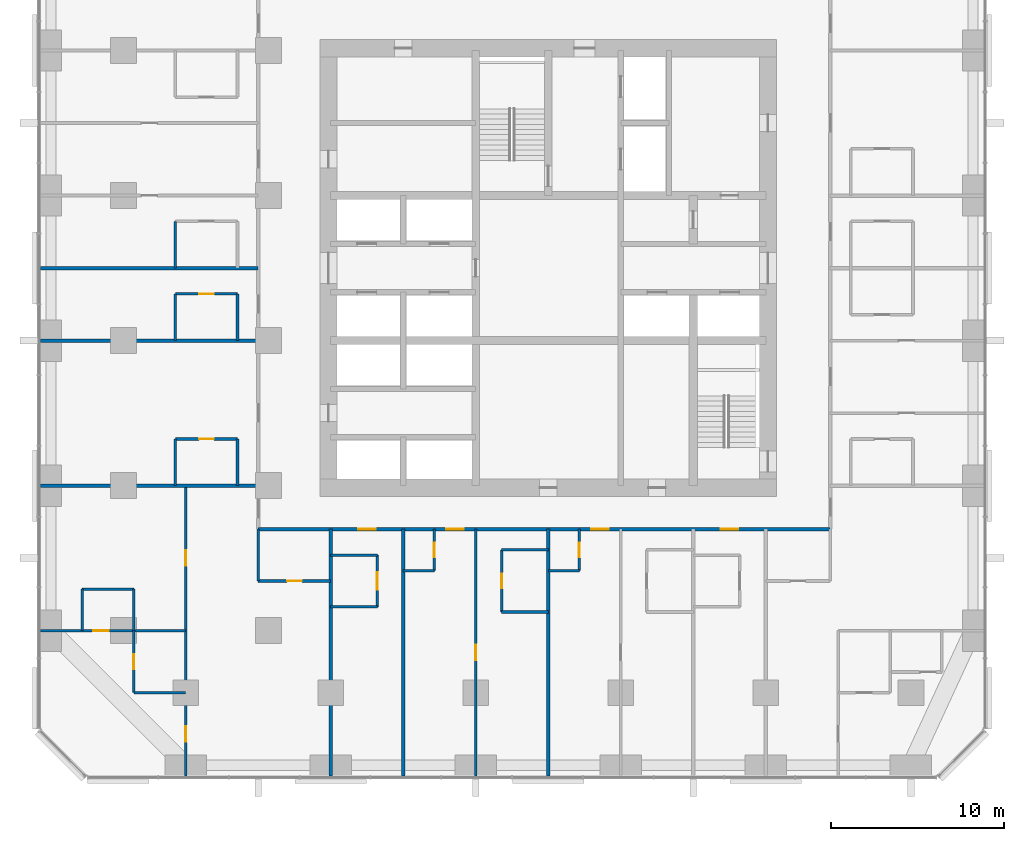
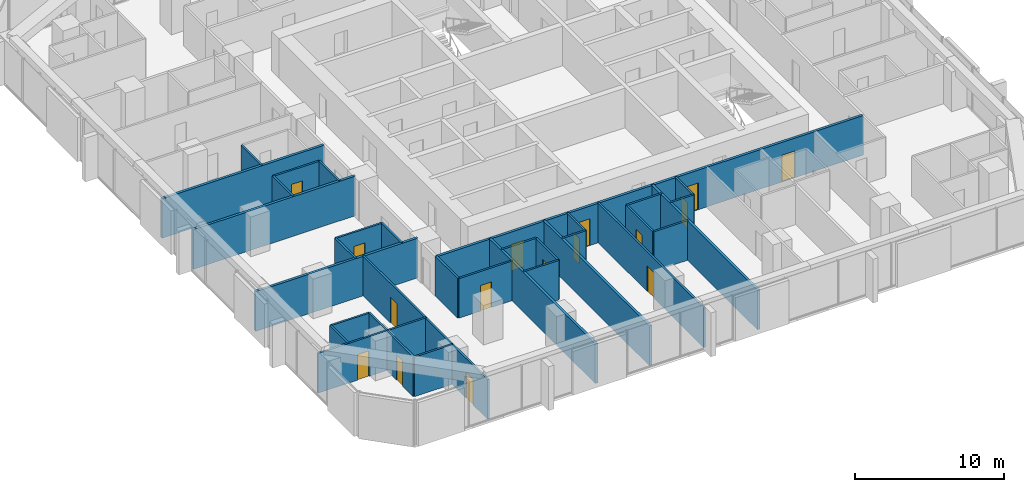
# One storey, part 8 of 14: 34 walls, 16 doors, 16 openings.
"""IFC4 building model written with IfcOpenShell, lengths in metres."""

from ifc_helpers import new_model, si_unit, direction, frame, frame_2d, origin, place, context, subcontext, project, spatial, rectangle, extrude, material, layer, layer_set, type_object, element, fill, save


model = new_model("IFC4")

# Units and contexts
model_context = context("Model", 3, precision=1e-05, world=origin(), true_north=direction((0.0, 1.0)))
body_context = subcontext(model_context, "Body", "Model", "MODEL_VIEW")
ifc_project = project(units=[si_unit("LENGTHUNIT", "METRE"), si_unit("AREAUNIT", "SQUARE_METRE"), si_unit("VOLUMEUNIT", "CUBIC_METRE"), si_unit("PLANEANGLEUNIT", "RADIAN"), si_unit("MASSUNIT", "GRAM", prefix="KILO")], contexts=[model_context])

# Site, building, storey
site_placement = place(None, origin())
site = spatial("IfcSite", under=ifc_project, at=site_placement, CompositionType="ELEMENT")
building_placement = place(site_placement, origin())
building = spatial("IfcBuilding", under=site, at=building_placement, Name="Dunama Terrace Hotel", CompositionType="ELEMENT")
storey_placement = place(building_placement, frame((0.0, 0.0, 136.800048828125)))
storey = spatial("IfcBuildingStorey", under=building, at=storey_placement, Name="L35", CompositionType="ELEMENT", Elevation=136.800048828125)

# Wall, opening, door
ifc_material_1 = material(Name="Gypsum board partition", Category="masonry")
ifc_layer_1 = layer(ifc_material_1, 0.14990234375)
ifc_layer_set_1 = layer_set([ifc_layer_1], Name="Bathroom partition 150")
wall_type_1 = type_object("IfcWallType", Name="Bathroom partition 150", PredefinedType="PARTITIONING", material=ifc_layer_set_1)
wall_1_placement = place(storey_placement, frame((5.39990234375, 4.800048828125, 0.0), z_axis=(0.0, 0.0, 1.0), x_axis=(0.0, 1.0, 0.0)))
wall_1 = element("IfcWall", 1, at=wall_1_placement, inside=storey, type_object=wall_type_1, Name="Bathroom partition 150 L35", PredefinedType="PARTITIONING", context=body_context, shape_type="SweptSolid", body=[
    extrude(rectangle(XDim=3.599853515625, YDim=0.14990234375, at=frame_2d((1.7998046875, 0.0))), origin(), (0.0, 0.0, 1.0), 3.25),
])
opening_1_placement = place(wall_1_placement, frame((1.375, 0.0, 0.0)))
opening_1 = element("IfcOpeningElement", 2, at=opening_1_placement, cuts=wall_1, Name="Opening L34-36-052", PredefinedType="OPENING", context=body_context, shape_type="SweptSolid", body=[
    extrude(rectangle(XDim=0.85009765625, YDim=2.10009765625, at=frame_2d((0.425048828125, 1.050048828125))), frame((0.0, 0.0849609375, 0.0), z_axis=(0.0, -1.0, 0.0), x_axis=(1.0, 0.0, 0.0)), (0.0, 0.0, 1.0), 0.169921875),
])
ifc_material_2 = material(Name="Timber door with steel frame", Category="steel")
door_type_1 = type_object("IfcDoorType", Name="Bathroom door 850", OperationType="SINGLE_SWING_LEFT", PredefinedType="DOOR", material=ifc_material_2)
door_1_placement = place(opening_1_placement, frame((0.85009765625, 0.0, 0.0), z_axis=(0.0, 0.0, 1.0), x_axis=(-1.0, 0.0, 0.0)))
door_1 = element("IfcDoor", 3, at=door_1_placement, inside=storey, type_object=door_type_1, Name="Door to en-suite bathroom L34-36-052, type D2", OperationType="SINGLE_SWING_LEFT", OverallHeight=2.10009765625, OverallWidth=0.85009765625, PredefinedType="DOOR", context=body_context, shape_type="SweptSolid", body=[
    extrude(rectangle(XDim=0.85009765625, YDim=2.10009765625, at=frame_2d((0.425048828125, 1.050048828125))), frame((0.0, 0.025146484375, 0.0), z_axis=(0.0, -1.0, 0.0), x_axis=(1.0, 0.0, 0.0)), (0.0, 0.0, 1.0), 0.050048828125),
])
fill(opening_1, door_1)

# Walls
for number, where, z_axis, x_axis, name in (
    (4, (7.800048828125, 16.800048828125, 0.0), (0.0, 0.0, 1.0), (0.0, 1.0, 0.0), "Bathroom partition 150 L35"),
    (5, (7.800048828125, 25.199951171875, 0.0), (0.0, 0.0, 1.0), (0.0, 1.0, 0.0), "Bathroom partition 150 L35"),
):
    element("IfcWall", number, at=place(storey_placement, frame(where, z_axis=z_axis, x_axis=x_axis)), inside=storey, type_object=wall_type_1, Name=name, PredefinedType="PARTITIONING", context=body_context, shape_type="SweptSolid", body=[
        extrude(rectangle(XDim=2.699951171875, YDim=0.14990234375, at=frame_2d((1.35009765625, 0.0))), origin(), (0.0, 0.0, 1.0), 3.25),
    ])
wall_2_placement = place(storey_placement, frame((7.800048828125, 29.39990234375, 0.0), z_axis=(0.0, 0.0, 1.0), x_axis=(0.0, 1.0, 0.0)))
element("IfcWall", 6, at=wall_2_placement, inside=storey, type_object=wall_type_1, Name="Bathroom partition 150 L35", PredefinedType="PARTITIONING", context=body_context, shape_type="SweptSolid", body=[
    extrude(rectangle(XDim=2.7001953125, YDim=0.14990234375, at=frame_2d((1.35009765625, 0.0))), origin(), (0.0, 0.0, 1.0), 3.25),
])
for number, where, z_axis, x_axis, name in (
    (7, (11.39990234375, 16.800048828125, 0.0), (0.0, 0.0, 1.0), (0.0, 1.0, 0.0), "Bathroom partition 150 L35"),
    (8, (11.39990234375, 25.199951171875, 0.0), (0.0, 0.0, 1.0), (0.0, 1.0, 0.0), "Bathroom partition 150 L35"),
):
    element("IfcWall", number, at=place(storey_placement, frame(where, z_axis=z_axis, x_axis=x_axis)), inside=storey, type_object=wall_type_1, Name=name, PredefinedType="PARTITIONING", context=body_context, shape_type="SweptSolid", body=[
        extrude(rectangle(XDim=2.699951171875, YDim=0.14990234375, at=frame_2d((1.35009765625, 0.0))), origin(), (0.0, 0.0, 1.0), 3.25),
    ])
wall_3_placement = place(storey_placement, frame((12.60009765625, 11.27490234375, 0.0), z_axis=(0.0, 0.0, 1.0), x_axis=(0.0, 1.0, 0.0)))
element("IfcWall", 9, at=wall_3_placement, inside=storey, type_object=wall_type_1, Name="Bathroom partition 150 L35", PredefinedType="PARTITIONING", context=body_context, shape_type="SweptSolid", body=[
    extrude(rectangle(XDim=3.0, YDim=0.14990234375, at=frame_2d((1.5, 0.0))), origin(), (0.0, 0.0, 1.0), 3.25),
])

# Wall, opening, door
wall_4_placement = place(storey_placement, frame((19.5, 9.77490234375, 0.0), z_axis=(0.0, 0.0, 1.0), x_axis=(0.0, 1.0, 0.0)))
wall_4 = element("IfcWall", 10, at=wall_4_placement, inside=storey, type_object=wall_type_1, Name="Bathroom partition 150 L35", PredefinedType="PARTITIONING", context=body_context, shape_type="SweptSolid", body=[
    extrude(rectangle(XDim=3.0, YDim=0.14990234375, at=frame_2d((1.5, 0.0))), origin(), (0.0, 0.0, 1.0), 3.25),
])
opening_2_placement = place(wall_4_placement, frame((1.0, 0.0, 0.0)))
opening_2 = element("IfcOpeningElement", 11, at=opening_2_placement, cuts=wall_4, Name="Opening L34-36-012", PredefinedType="OPENING", context=body_context, shape_type="SweptSolid", body=[
    extrude(rectangle(XDim=1.0, YDim=2.10009765625, at=frame_2d((0.5, 1.050048828125))), frame((0.0, 0.0849609375, 0.0), z_axis=(0.0, -1.0, 0.0), x_axis=(1.0, 0.0, 0.0)), (0.0, 0.0, 1.0), 0.169921875),
])
ifc_material_3 = material(Name="Timber door with steel frame", Category="steel")
door_type_2 = type_object("IfcDoorType", Name="Accessible room door 1000", OperationType="SINGLE_SWING_LEFT", PredefinedType="DOOR", material=ifc_material_3)
door_2_placement = place(opening_2_placement, origin())
door_2 = element("IfcDoor", 12, at=door_2_placement, inside=storey, type_object=door_type_2, Name="Door to accessible en-suite bathroom L34-36-012, type D17", OperationType="SINGLE_SWING_LEFT", OverallHeight=2.10009765625, OverallWidth=1.0, PredefinedType="DOOR", context=body_context, shape_type="SweptSolid", body=[
    extrude(rectangle(XDim=1.0, YDim=2.10009765625, at=frame_2d((0.5, 1.050048828125))), frame((0.0, 0.02490234375, 0.0), z_axis=(0.0, -1.0, 0.0), x_axis=(1.0, 0.0, 0.0)), (0.0, 0.0, 1.0), 0.050048828125),
])
fill(opening_2, door_2)

wall_5_placement = place(storey_placement, frame((22.800048828125, 11.875, 0.0), z_axis=(0.0, 0.0, 1.0), x_axis=(0.0, 1.0, 0.0)))
wall_5 = element("IfcWall", 13, at=wall_5_placement, inside=storey, type_object=wall_type_1, Name="Bathroom partition 150 L35", PredefinedType="PARTITIONING", context=body_context, shape_type="SweptSolid", body=[
    extrude(rectangle(XDim=2.39990234375, YDim=0.14990234375, at=frame_2d((1.199951171875, 0.0))), origin(), (0.0, 0.0, 1.0), 3.25),
])
opening_3_placement = place(wall_5_placement, frame((0.77490234375, 0.0, 0.0)))
opening_3 = element("IfcOpeningElement", 14, at=opening_3_placement, cuts=wall_5, Name="Opening L34-36-014", PredefinedType="OPENING", context=body_context, shape_type="SweptSolid", body=[
    extrude(rectangle(XDim=0.85009765625, YDim=2.10009765625, at=frame_2d((0.425048828125, 1.050048828125))), frame((0.0, 0.0849609375, 0.0), z_axis=(0.0, -1.0, 0.0), x_axis=(1.0, 0.0, 0.0)), (0.0, 0.0, 1.0), 0.169921875),
])
door_3_placement = place(opening_3_placement, origin())
door_3 = element("IfcDoor", 15, at=door_3_placement, inside=storey, type_object=door_type_1, Name="Door to powder room L34-36-014, type D2", OperationType="SINGLE_SWING_RIGHT", OverallHeight=2.10009765625, OverallWidth=0.85009765625, PredefinedType="DOOR", context=body_context, shape_type="SweptSolid", body=[
    extrude(rectangle(XDim=0.85009765625, YDim=2.10009765625, at=frame_2d((0.425048828125, 1.050048828125))), frame((0.0, 0.02490234375, 0.0), z_axis=(0.0, -1.0, 0.0), x_axis=(1.0, 0.0, 0.0)), (0.0, 0.0, 1.0), 0.050048828125),
])
fill(opening_3, door_3)

wall_6_placement = place(storey_placement, frame((26.699951171875, 9.47509765625, 0.0), z_axis=(0.0, 0.0, 1.0), x_axis=(0.0, 1.0, 0.0)))
wall_6 = element("IfcWall", 16, at=wall_6_placement, inside=storey, type_object=wall_type_1, Name="Bathroom partition 150 L35", PredefinedType="PARTITIONING", context=body_context, shape_type="SweptSolid", body=[
    extrude(rectangle(XDim=3.599853515625, YDim=0.14990234375, at=frame_2d((1.7998046875, 0.0))), origin(), (0.0, 0.0, 1.0), 3.25),
])
opening_4_placement = place(wall_6_placement, frame((1.375, 0.0, 0.0)))
opening_4 = element("IfcOpeningElement", 17, at=opening_4_placement, cuts=wall_6, Name="Opening L34-36-016", PredefinedType="OPENING", context=body_context, shape_type="SweptSolid", body=[
    extrude(rectangle(XDim=0.85009765625, YDim=2.10009765625, at=frame_2d((0.425048828125, 1.050048828125))), frame((0.0, 0.0849609375, 0.0), z_axis=(0.0, -1.0, 0.0), x_axis=(1.0, 0.0, 0.0)), (0.0, 0.0, 1.0), 0.169921875),
])
door_4_placement = place(opening_4_placement, frame((0.85009765625, 0.0, 0.0), z_axis=(0.0, 0.0, 1.0), x_axis=(-1.0, 0.0, 0.0)))
door_4 = element("IfcDoor", 18, at=door_4_placement, inside=storey, type_object=door_type_1, Name="Door to en-suite bathroom L34-36-016, type D2", OperationType="SINGLE_SWING_RIGHT", OverallHeight=2.10009765625, OverallWidth=0.85009765625, PredefinedType="DOOR", context=body_context, shape_type="SweptSolid", body=[
    extrude(rectangle(XDim=0.85009765625, YDim=2.10009765625, at=frame_2d((0.425048828125, 1.050048828125))), frame((0.0, 0.025146484375, 0.0), z_axis=(0.0, -1.0, 0.0), x_axis=(1.0, 0.0, 0.0)), (0.0, 0.0, 1.0), 0.050048828125),
])
fill(opening_4, door_4)

wall_7_placement = place(storey_placement, frame((31.199951171875, 11.875, 0.0), z_axis=(0.0, 0.0, 1.0), x_axis=(0.0, 1.0, 0.0)))
wall_7 = element("IfcWall", 19, at=wall_7_placement, inside=storey, type_object=wall_type_1, Name="Bathroom partition 150 L35", PredefinedType="PARTITIONING", context=body_context, shape_type="SweptSolid", body=[
    extrude(rectangle(XDim=2.39990234375, YDim=0.14990234375, at=frame_2d((1.199951171875, 0.0))), origin(), (0.0, 0.0, 1.0), 3.25),
])
opening_5_placement = place(wall_7_placement, frame((0.77490234375, 0.0, 0.0)))
opening_5 = element("IfcOpeningElement", 20, at=opening_5_placement, cuts=wall_7, Name="Opening L34-36-018", PredefinedType="OPENING", context=body_context, shape_type="SweptSolid", body=[
    extrude(rectangle(XDim=0.85009765625, YDim=2.10009765625, at=frame_2d((0.425048828125, 1.050048828125))), frame((0.0, 0.0849609375, 0.0), z_axis=(0.0, -1.0, 0.0), x_axis=(1.0, 0.0, 0.0)), (0.0, 0.0, 1.0), 0.169921875),
])
door_5_placement = place(opening_5_placement, origin())
door_5 = element("IfcDoor", 21, at=door_5_placement, inside=storey, type_object=door_type_1, Name="Door to powder room L34-36-018, type D2", OperationType="SINGLE_SWING_RIGHT", OverallHeight=2.10009765625, OverallWidth=0.85009765625, PredefinedType="DOOR", context=body_context, shape_type="SweptSolid", body=[
    extrude(rectangle(XDim=0.85009765625, YDim=2.10009765625, at=frame_2d((0.425048828125, 1.050048828125))), frame((0.0, 0.02490234375, 0.0), z_axis=(0.0, -1.0, 0.0), x_axis=(1.0, 0.0, 0.0)), (0.0, 0.0, 1.0), 0.050048828125),
])
fill(opening_5, door_5)

# Walls
wall_8_placement = place(storey_placement, frame((5.39990234375, 4.800048828125, 0.0), z_axis=(0.0, 0.0, 1.0), x_axis=(1.0, 0.0, 0.0)))
element("IfcWall", 22, at=wall_8_placement, inside=storey, type_object=wall_type_1, Name="Bathroom partition 150 L35", PredefinedType="PARTITIONING", context=body_context, shape_type="SweptSolid", body=[
    extrude(rectangle(XDim=3.0, YDim=0.14990234375, at=frame_2d((1.5, 0.0))), origin(), (0.0, 0.0, 1.0), 3.25),
])
for number, where, z_axis, x_axis, name in (
    (23, (26.699951171875, 9.47509765625, 0.0), (0.0, 0.0, 1.0), (1.0, 0.0, 0.0), "Bathroom partition 150 L35"),
    (24, (16.800048828125, 9.77490234375, 0.0), (0.0, 0.0, 1.0), (1.0, 0.0, 0.0), "Bathroom partition 150 L35"),
):
    element("IfcWall", number, at=place(storey_placement, frame(where, z_axis=z_axis, x_axis=x_axis)), inside=storey, type_object=wall_type_1, Name=name, PredefinedType="PARTITIONING", context=body_context, shape_type="SweptSolid", body=[
        extrude(rectangle(XDim=2.699951171875, YDim=0.14990234375, at=frame_2d((1.35009765625, 0.0))), origin(), (0.0, 0.0, 1.0), 3.25),
    ])

# Wall, opening, door
wall_9_placement = place(storey_placement, frame((12.60009765625, 11.27490234375, 0.0), z_axis=(0.0, 0.0, 1.0), x_axis=(1.0, 0.0, 0.0)))
wall_9 = element("IfcWall", 25, at=wall_9_placement, inside=storey, type_object=wall_type_1, Name="Bathroom partition 150 L35", PredefinedType="PARTITIONING", context=body_context, shape_type="SweptSolid", body=[
    extrude(rectangle(XDim=4.199951171875, YDim=0.14990234375, at=frame_2d((2.10009765625, 0.0))), origin(), (0.0, 0.0, 1.0), 3.25),
])
opening_6_placement = place(wall_9_placement, frame((1.675048828125, 0.0, 0.0)))
opening_6 = element("IfcOpeningElement", 26, at=opening_6_placement, cuts=wall_9, Name="Opening L34-36-050", PredefinedType="OPENING", context=body_context, shape_type="SweptSolid", body=[
    extrude(rectangle(XDim=0.85009765625, YDim=2.10009765625, at=frame_2d((0.425048828125, 1.050048828125))), frame((0.0, 0.0849609375, 0.0), z_axis=(0.0, -1.0, 0.0), x_axis=(1.0, 0.0, 0.0)), (0.0, 0.0, 1.0), 0.169921875),
])
door_6_placement = place(opening_6_placement, origin())
door_6 = element("IfcDoor", 27, at=door_6_placement, inside=storey, type_object=door_type_1, Name="Door to powder room L34-36-050, type D2", OperationType="SINGLE_SWING_RIGHT", OverallHeight=2.10009765625, OverallWidth=0.85009765625, PredefinedType="DOOR", context=body_context, shape_type="SweptSolid", body=[
    extrude(rectangle(XDim=0.85009765625, YDim=2.10009765625, at=frame_2d((0.425048828125, 1.050048828125))), frame((0.0, 0.02490234375, 0.0), z_axis=(0.0, -1.0, 0.0), x_axis=(1.0, 0.0, 0.0)), (0.0, 0.0, 1.0), 0.050048828125),
])
fill(opening_6, door_6)

# Walls
for number, where, z_axis, x_axis, name in (
    (28, (21.0, 11.875, 0.0), (0.0, 0.0, 1.0), (1.0, 0.0, 0.0), "Bathroom partition 150 L35"),
    (29, (29.39990234375, 11.875, 0.0), (0.0, 0.0, 1.0), (1.0, 0.0, 0.0), "Bathroom partition 150 L35"),
):
    element("IfcWall", number, at=place(storey_placement, frame(where, z_axis=z_axis, x_axis=x_axis)), inside=storey, type_object=wall_type_1, Name=name, PredefinedType="PARTITIONING", context=body_context, shape_type="SweptSolid", body=[
        extrude(rectangle(XDim=1.800048828125, YDim=0.14990234375, at=frame_2d((0.89990234375, 0.0))), origin(), (0.0, 0.0, 1.0), 3.25),
    ])
for number, where, z_axis, x_axis, name in (
    (30, (16.800048828125, 12.77490234375, 0.0), (0.0, 0.0, 1.0), (1.0, 0.0, 0.0), "Bathroom partition 150 L35"),
    (31, (26.699951171875, 13.074951171875, 0.0), (0.0, 0.0, 1.0), (1.0, 0.0, 0.0), "Bathroom partition 150 L35"),
):
    element("IfcWall", number, at=place(storey_placement, frame(where, z_axis=z_axis, x_axis=x_axis)), inside=storey, type_object=wall_type_1, Name=name, PredefinedType="PARTITIONING", context=body_context, shape_type="SweptSolid", body=[
        extrude(rectangle(XDim=2.699951171875, YDim=0.14990234375, at=frame_2d((1.35009765625, 0.0))), origin(), (0.0, 0.0, 1.0), 3.25),
    ])

# Wall, opening, door
wall_10_placement = place(storey_placement, frame((7.800048828125, 19.5, 0.0), z_axis=(0.0, 0.0, 1.0), x_axis=(1.0, 0.0, 0.0)))
wall_10 = element("IfcWall", 32, at=wall_10_placement, inside=storey, type_object=wall_type_1, Name="Bathroom partition 150 L35", PredefinedType="PARTITIONING", context=body_context, shape_type="SweptSolid", body=[
    extrude(rectangle(XDim=3.599853515625, YDim=0.14990234375, at=frame_2d((1.7998046875, 0.0))), origin(), (0.0, 0.0, 1.0), 3.25),
])
opening_7_placement = place(wall_10_placement, frame((1.375, 0.0, 0.0)))
opening_7 = element("IfcOpeningElement", 33, at=opening_7_placement, cuts=wall_10, Name="Opening L34-36-041", PredefinedType="OPENING", context=body_context, shape_type="SweptSolid", body=[
    extrude(rectangle(XDim=0.85009765625, YDim=2.10009765625, at=frame_2d((0.425048828125, 1.050048828125))), frame((0.0, 0.0849609375, 0.0), z_axis=(0.0, -1.0, 0.0), x_axis=(1.0, 0.0, 0.0)), (0.0, 0.0, 1.0), 0.169921875),
])
door_7_placement = place(opening_7_placement, frame((0.85009765625, 0.0, 0.0), z_axis=(0.0, 0.0, 1.0), x_axis=(-1.0, 0.0, 0.0)))
door_7 = element("IfcDoor", 34, at=door_7_placement, inside=storey, type_object=door_type_1, Name="Door to en-suite bathroom L34-36-041, type D2", OperationType="SINGLE_SWING_RIGHT", OverallHeight=2.10009765625, OverallWidth=0.85009765625, PredefinedType="DOOR", context=body_context, shape_type="SweptSolid", body=[
    extrude(rectangle(XDim=0.85009765625, YDim=2.10009765625, at=frame_2d((0.425048828125, 1.050048828125))), frame((0.0, 0.025146484375, 0.0), z_axis=(0.0, -1.0, 0.0), x_axis=(1.0, 0.0, 0.0)), (0.0, 0.0, 1.0), 0.050048828125),
])
fill(opening_7, door_7)

wall_11_placement = place(storey_placement, frame((7.800048828125, 27.89990234375, 0.0), z_axis=(0.0, 0.0, 1.0), x_axis=(1.0, 0.0, 0.0)))
wall_11 = element("IfcWall", 35, at=wall_11_placement, inside=storey, type_object=wall_type_1, Name="Bathroom partition 150 L35", PredefinedType="PARTITIONING", context=body_context, shape_type="SweptSolid", body=[
    extrude(rectangle(XDim=3.599853515625, YDim=0.14990234375, at=frame_2d((1.7998046875, 0.0))), origin(), (0.0, 0.0, 1.0), 3.25),
])
opening_8_placement = place(wall_11_placement, frame((1.375, 0.0, 0.0)))
opening_8 = element("IfcOpeningElement", 36, at=opening_8_placement, cuts=wall_11, Name="Opening L34-36-043", PredefinedType="OPENING", context=body_context, shape_type="SweptSolid", body=[
    extrude(rectangle(XDim=0.85009765625, YDim=2.10009765625, at=frame_2d((0.425048828125, 1.050048828125))), frame((0.0, 0.0849609375, 0.0), z_axis=(0.0, -1.0, 0.0), x_axis=(1.0, 0.0, 0.0)), (0.0, 0.0, 1.0), 0.169921875),
])
door_8_placement = place(opening_8_placement, frame((0.85009765625, 0.0, 0.0), z_axis=(0.0, 0.0, 1.0), x_axis=(-1.0, 0.0, 0.0)))
door_8 = element("IfcDoor", 37, at=door_8_placement, inside=storey, type_object=door_type_1, Name="Door to en-suite bathroom L34-36-043, type D2", OperationType="SINGLE_SWING_RIGHT", OverallHeight=2.10009765625, OverallWidth=0.85009765625, PredefinedType="DOOR", context=body_context, shape_type="SweptSolid", body=[
    extrude(rectangle(XDim=0.85009765625, YDim=2.10009765625, at=frame_2d((0.425048828125, 1.050048828125))), frame((0.0, 0.025146484375, 0.0), z_axis=(0.0, -1.0, 0.0), x_axis=(1.0, 0.0, 0.0)), (0.0, 0.0, 1.0), 0.050048828125),
])
fill(opening_8, door_8)

# Wall, openings, doors
ifc_material_4 = material(Name="Concrete blockwork", Category="masonry")
ifc_layer_2 = layer(ifc_material_4, 0.199951171875)
ifc_layer_set_2 = layer_set([ifc_layer_2], Name="Corridor partition 200")
wall_type_2 = type_object("IfcWallType", Name="Corridor partition 200", PredefinedType="PARTITIONING", material=ifc_layer_set_2)
wall_12_placement = place(storey_placement, frame((45.72509765625, 14.27490234375, 0.0), z_axis=(0.0, 0.0, 1.0), x_axis=(-1.0, 0.0, 0.0)))
wall_12 = element("IfcWall", 38, at=wall_12_placement, inside=storey, type_object=wall_type_2, Name="Corridor partition 200 L35", PredefinedType="PARTITIONING", context=body_context, shape_type="SweptSolid", body=[
    extrude(rectangle(XDim=33.125, YDim=0.199951171875, at=frame_2d((16.5625, 0.0))), origin(), (0.0, 0.0, 1.0), 3.25),
])
opening_9_placement = place(wall_12_placement, frame((26.324951171875, 0.0, 0.0)))
opening_9 = element("IfcOpeningElement", 39, at=opening_9_placement, cuts=wall_12, Name="Opening L34-36-011", PredefinedType="OPENING", context=body_context, shape_type="SweptSolid", body=[
    extrude(rectangle(XDim=1.0, YDim=2.199951171875, at=frame_2d((0.5, 1.10009765625))), frame((0.0, 0.10986328125, 0.0), z_axis=(0.0, -1.0, 0.0), x_axis=(1.0, 0.0, 0.0)), (0.0, 0.0, 1.0), 0.219970703125),
])
opening_10_placement = place(wall_12_placement, frame((21.22509765625, 0.0, 0.0)))
opening_10 = element("IfcOpeningElement", 40, at=opening_10_placement, cuts=wall_12, Name="Opening L34-36-013", PredefinedType="OPENING", context=body_context, shape_type="SweptSolid", body=[
    extrude(rectangle(XDim=1.0, YDim=2.199951171875, at=frame_2d((0.5, 1.10009765625))), frame((0.0, 0.10986328125, 0.0), z_axis=(0.0, -1.0, 0.0), x_axis=(1.0, 0.0, 0.0)), (0.0, 0.0, 1.0), 0.219970703125),
])
opening_11_placement = place(wall_12_placement, frame((12.824951171875, 0.0, 0.0)))
opening_11 = element("IfcOpeningElement", 41, at=opening_11_placement, cuts=wall_12, Name="Opening L34-36-017", PredefinedType="OPENING", context=body_context, shape_type="SweptSolid", body=[
    extrude(rectangle(XDim=1.0, YDim=2.199951171875, at=frame_2d((0.5, 1.10009765625))), frame((0.0, 0.10986328125, 0.0), z_axis=(0.0, -1.0, 0.0), x_axis=(1.0, 0.0, 0.0)), (0.0, 0.0, 1.0), 0.219970703125),
])
opening_12_placement = place(wall_12_placement, frame((5.324951171875, 0.0, 0.0)))
opening_12 = element("IfcOpeningElement", 42, at=opening_12_placement, cuts=wall_12, Name="Opening L34-36-021", PredefinedType="OPENING", context=body_context, shape_type="SweptSolid", body=[
    extrude(rectangle(XDim=1.0, YDim=2.199951171875, at=frame_2d((0.5, 1.10009765625))), frame((0.0, 0.10986328125, 0.0), z_axis=(0.0, -1.0, 0.0), x_axis=(1.0, 0.0, 0.0)), (0.0, 0.0, 1.0), 0.219970703125),
])
ifc_material_5 = material(Name="Timber door with steel frame", Category="steel")
door_type_3 = type_object("IfcDoorType", Name="Guest room door 1000", OperationType="SINGLE_SWING_LEFT", PredefinedType="DOOR", material=ifc_material_5)
door_9_placement = place(opening_9_placement, origin())
door_9 = element("IfcDoor", 43, at=door_9_placement, inside=storey, type_object=door_type_3, Name="Door to accessible premier room L34-36-011, type D1", OperationType="SINGLE_SWING_LEFT", OverallHeight=2.199951171875, OverallWidth=1.0, PredefinedType="DOOR", context=body_context, shape_type="SweptSolid", body=[
    extrude(rectangle(XDim=1.0, YDim=2.199951171875, at=frame_2d((0.5, 1.10009765625))), frame((0.0, 0.02490234375, 0.0), z_axis=(0.0, -1.0, 0.0), x_axis=(1.0, 0.0, 0.0)), (0.0, 0.0, 1.0), 0.050048828125),
])
fill(opening_9, door_9)
door_10_placement = place(opening_10_placement, origin())
door_10 = element("IfcDoor", 44, at=door_10_placement, inside=storey, type_object=door_type_3, Name="Door to premier suite living room L34-36-013, type D1", OperationType="SINGLE_SWING_LEFT", OverallHeight=2.199951171875, OverallWidth=1.0, PredefinedType="DOOR", context=body_context, shape_type="SweptSolid", body=[
    extrude(rectangle(XDim=1.0, YDim=2.199951171875, at=frame_2d((0.5, 1.10009765625))), frame((0.0, 0.02490234375, 0.0), z_axis=(0.0, -1.0, 0.0), x_axis=(1.0, 0.0, 0.0)), (0.0, 0.0, 1.0), 0.050048828125),
])
fill(opening_10, door_10)
door_11_placement = place(opening_11_placement, origin())
door_11 = element("IfcDoor", 45, at=door_11_placement, inside=storey, type_object=door_type_3, Name="Door to premier suite living room L34-36-017, type D1", OperationType="SINGLE_SWING_LEFT", OverallHeight=2.199951171875, OverallWidth=1.0, PredefinedType="DOOR", context=body_context, shape_type="SweptSolid", body=[
    extrude(rectangle(XDim=1.0, YDim=2.199951171875, at=frame_2d((0.5, 1.10009765625))), frame((0.0, 0.02490234375, 0.0), z_axis=(0.0, -1.0, 0.0), x_axis=(1.0, 0.0, 0.0)), (0.0, 0.0, 1.0), 0.050048828125),
])
fill(opening_11, door_11)
door_12_placement = place(opening_12_placement, origin())
door_12 = element("IfcDoor", 46, at=door_12_placement, inside=storey, type_object=door_type_3, Name="Door to accessible premier room L34-36-021, type D1", OperationType="SINGLE_SWING_LEFT", OverallHeight=2.199951171875, OverallWidth=1.0, PredefinedType="DOOR", context=body_context, shape_type="SweptSolid", body=[
    extrude(rectangle(XDim=1.0, YDim=2.199951171875, at=frame_2d((0.5, 1.10009765625))), frame((0.0, 0.02490234375, 0.0), z_axis=(0.0, -1.0, 0.0), x_axis=(1.0, 0.0, 0.0)), (0.0, 0.0, 1.0), 0.050048828125),
])
fill(opening_12, door_12)

# Walls
ifc_material_6 = material(Name="Concrete blockwork", Category="masonry")
ifc_layer_3 = layer(ifc_material_6, 0.199951171875)
ifc_layer_set_3 = layer_set([ifc_layer_3], Name="Party wall 200")
wall_type_3 = type_object("IfcWallType", Name="Party wall 200", PredefinedType="PARTITIONING", material=ifc_layer_set_3)
for number, where, z_axis, x_axis, name in (
    (47, (16.800048828125, -0.01806640625, 0.0), (0.0, 0.0, 1.0), (0.0, 1.0, 0.0), "Party wall 200 L35"),
    (48, (21.0, -0.01806640625, 0.0), (0.0, 0.0, 1.0), (0.0, 1.0, 0.0), "Party wall 200 L35"),
    (49, (29.39990234375, -0.01806640625, 0.0), (0.0, 0.0, 1.0), (0.0, 1.0, 0.0), "Party wall 200 L35"),
):
    element("IfcWall", number, at=place(storey_placement, frame(where, z_axis=z_axis, x_axis=x_axis)), inside=storey, type_object=wall_type_3, Name=name, PredefinedType="PARTITIONING", context=body_context, shape_type="SweptSolid", body=[
        extrude(rectangle(XDim=14.29296875, YDim=0.199951171875, at=frame_2d((7.146484375, 0.0))), origin(), (0.0, 0.0, 1.0), 3.25),
    ])
for number, where, z_axis, x_axis, name in (
    (50, (-0.01806640625, 16.800048828125, 0.0), (0.0, 0.0, 1.0), (1.0, 0.0, 0.0), "Party wall 200 L35"),
    (51, (-0.01806640625, 25.199951171875, 0.0), (0.0, 0.0, 1.0), (1.0, 0.0, 0.0), "Party wall 200 L35"),
    (52, (-0.01806640625, 29.39990234375, 0.0), (0.0, 0.0, 1.0), (1.0, 0.0, 0.0), "Party wall 200 L35"),
):
    element("IfcWall", number, at=place(storey_placement, frame(where, z_axis=z_axis, x_axis=x_axis)), inside=storey, type_object=wall_type_3, Name=name, PredefinedType="PARTITIONING", context=body_context, shape_type="SweptSolid", body=[
        extrude(rectangle(XDim=12.6181640625, YDim=0.199951171875, at=frame_2d((6.30908203125, 0.0))), origin(), (0.0, 0.0, 1.0), 3.25),
    ])
ifc_material_7 = material(Name="Gypsum board partition", Category="masonry")
ifc_layer_4 = layer(ifc_material_7, 0.14990234375)
ifc_layer_set_4 = layer_set([ifc_layer_4], Name="Room partition 150")
wall_type_4 = type_object("IfcWallType", Name="Room partition 150", PredefinedType="PARTITIONING", material=ifc_layer_set_4)
for number, where, z_axis, x_axis, name in (
    (53, (2.39990234375, 8.39990234375, 0.0), (0.0, 0.0, 1.0), (0.0, 1.0, 0.0), "Room partition 150 L35"),
    (54, (5.39990234375, 8.39990234375, 0.0), (0.0, 0.0, 1.0), (0.0, 1.0, 0.0), "Room partition 150 L35"),
):
    element("IfcWall", number, at=place(storey_placement, frame(where, z_axis=z_axis, x_axis=x_axis)), inside=storey, type_object=wall_type_4, Name=name, PredefinedType="PARTITIONING", context=body_context, shape_type="SweptSolid", body=[
        extrude(rectangle(XDim=2.400146484375, YDim=0.14990234375, at=frame_2d((1.2001953125, 0.0))), origin(), (0.0, 0.0, 1.0), 3.25),
    ])

# Wall, openings, doors
wall_13_placement = place(storey_placement, frame((8.39990234375, -0.01806640625, 0.0), z_axis=(0.0, 0.0, 1.0), x_axis=(0.0, 1.0, 0.0)))
wall_13 = element("IfcWall", 55, at=wall_13_placement, inside=storey, type_object=wall_type_4, Name="Room partition 150 L35", PredefinedType="PARTITIONING", context=body_context, shape_type="SweptSolid", body=[
    extrude(rectangle(XDim=16.818115234375, YDim=0.14990234375, at=frame_2d((8.4091796875, 0.0))), origin(), (0.0, 0.0, 1.0), 3.25),
])
opening_13_placement = place(wall_13_placement, frame((1.968017578125, 0.0, 0.0)))
opening_13 = element("IfcOpeningElement", 56, at=opening_13_placement, cuts=wall_13, Name="Opening L34-36-051", PredefinedType="OPENING", context=body_context, shape_type="SweptSolid", body=[
    extrude(rectangle(XDim=0.89990234375, YDim=2.10009765625, at=frame_2d((0.449951171875, 1.050048828125))), frame((0.0, 0.0849609375, 0.0), z_axis=(0.0, -1.0, 0.0), x_axis=(1.0, 0.0, 0.0)), (0.0, 0.0, 1.0), 0.169921875),
])
opening_14_placement = place(wall_13_placement, frame((12.16796875, 0.0, 0.0)))
opening_14 = element("IfcOpeningElement", 57, at=opening_14_placement, cuts=wall_13, Name="Opening L34-36-054", PredefinedType="OPENING", context=body_context, shape_type="SweptSolid", body=[
    extrude(rectangle(XDim=0.89990234375, YDim=2.10009765625, at=frame_2d((0.449951171875, 1.050048828125))), frame((0.0, 0.0849609375, 0.0), z_axis=(0.0, -1.0, 0.0), x_axis=(1.0, 0.0, 0.0)), (0.0, 0.0, 1.0), 0.169921875),
])
ifc_material_8 = material(Name="Timber door with steel frame", Category="steel")
door_type_4 = type_object("IfcDoorType", Name="Suite internal door 900", OperationType="SINGLE_SWING_LEFT", PredefinedType="DOOR", material=ifc_material_8)
door_13_placement = place(opening_13_placement, origin())
door_13 = element("IfcDoor", 58, at=door_13_placement, inside=storey, type_object=door_type_4, Name="Door to corner suite bedroom L34-36-051, type D16", OperationType="SINGLE_SWING_LEFT", OverallHeight=2.10009765625, OverallWidth=0.89990234375, PredefinedType="DOOR", context=body_context, shape_type="SweptSolid", body=[
    extrude(rectangle(XDim=0.89990234375, YDim=2.10009765625, at=frame_2d((0.449951171875, 1.050048828125))), frame((0.0, 0.02490234375, 0.0), z_axis=(0.0, -1.0, 0.0), x_axis=(1.0, 0.0, 0.0)), (0.0, 0.0, 1.0), 0.050048828125),
])
fill(opening_13, door_13)
door_14_placement = place(opening_14_placement, origin())
door_14 = element("IfcDoor", 59, at=door_14_placement, inside=storey, type_object=door_type_4, Name="Door to corner suite study L34-36-054, type D16", OperationType="SINGLE_SWING_LEFT", OverallHeight=2.10009765625, OverallWidth=0.89990234375, PredefinedType="DOOR", context=body_context, shape_type="SweptSolid", body=[
    extrude(rectangle(XDim=0.89990234375, YDim=2.10009765625, at=frame_2d((0.449951171875, 1.050048828125))), frame((0.0, 0.02490234375, 0.0), z_axis=(0.0, -1.0, 0.0), x_axis=(1.0, 0.0, 0.0)), (0.0, 0.0, 1.0), 0.050048828125),
])
fill(opening_14, door_14)

# Wall, opening, door
wall_14_placement = place(storey_placement, frame((25.199951171875, -0.01806640625, 0.0), z_axis=(0.0, 0.0, 1.0), x_axis=(0.0, 1.0, 0.0)))
wall_14 = element("IfcWall", 60, at=wall_14_placement, inside=storey, type_object=wall_type_4, Name="Room partition 150 L35", PredefinedType="PARTITIONING", context=body_context, shape_type="SweptSolid", body=[
    extrude(rectangle(XDim=14.29296875, YDim=0.14990234375, at=frame_2d((7.146484375, 0.0))), origin(), (0.0, 0.0, 1.0), 3.25),
])
opening_15_placement = place(wall_14_placement, frame((6.7060546875, 0.0, 0.0)))
opening_15 = element("IfcOpeningElement", 61, at=opening_15_placement, cuts=wall_14, Name="Opening L34-36-015", PredefinedType="OPENING", context=body_context, shape_type="SweptSolid", body=[
    extrude(rectangle(XDim=0.89990234375, YDim=2.10009765625, at=frame_2d((0.449951171875, 1.050048828125))), frame((0.0, 0.0849609375, 0.0), z_axis=(0.0, -1.0, 0.0), x_axis=(1.0, 0.0, 0.0)), (0.0, 0.0, 1.0), 0.169921875),
])
door_15_placement = place(opening_15_placement, frame((0.89990234375, 0.0, 0.0), z_axis=(0.0, 0.0, 1.0), x_axis=(-1.0, 0.0, 0.0)))
door_15 = element("IfcDoor", 62, at=door_15_placement, inside=storey, type_object=door_type_4, Name="Door to premier suite bedroom L34-36-015, type D16", OperationType="SINGLE_SWING_RIGHT", OverallHeight=2.10009765625, OverallWidth=0.89990234375, PredefinedType="DOOR", context=body_context, shape_type="SweptSolid", body=[
    extrude(rectangle(XDim=0.89990234375, YDim=2.10009765625, at=frame_2d((0.449951171875, 1.050048828125))), frame((0.0, 0.025146484375, 0.0), z_axis=(0.0, -1.0, 0.0), x_axis=(1.0, 0.0, 0.0)), (0.0, 0.0, 1.0), 0.050048828125),
])
fill(opening_15, door_15)

wall_15_placement = place(storey_placement, frame((-0.01806640625, 8.39990234375, 0.0), z_axis=(0.0, 0.0, 1.0), x_axis=(1.0, 0.0, 0.0)))
wall_15 = element("IfcWall", 63, at=wall_15_placement, inside=storey, type_object=wall_type_4, Name="Room partition 150 L35", PredefinedType="PARTITIONING", context=body_context, shape_type="SweptSolid", body=[
    extrude(rectangle(XDim=8.41796875, YDim=0.14990234375, at=frame_2d((4.208984375, 0.0))), origin(), (0.0, 0.0, 1.0), 3.25),
])
opening_16_placement = place(wall_15_placement, frame((3.068115234375, 0.0, 0.0)))
opening_16 = element("IfcOpeningElement", 64, at=opening_16_placement, cuts=wall_15, Name="Opening L34-36-053", PredefinedType="OPENING", context=body_context, shape_type="SweptSolid", body=[
    extrude(rectangle(XDim=0.89990234375, YDim=2.10009765625, at=frame_2d((0.449951171875, 1.050048828125))), frame((0.0, 0.0849609375, 0.0), z_axis=(0.0, -1.0, 0.0), x_axis=(1.0, 0.0, 0.0)), (0.0, 0.0, 1.0), 0.169921875),
])
door_16_placement = place(opening_16_placement, origin())
door_16 = element("IfcDoor", 65, at=door_16_placement, inside=storey, type_object=door_type_4, Name="Door to dressing room L34-36-053, type D16", OperationType="SINGLE_SWING_RIGHT", OverallHeight=2.10009765625, OverallWidth=0.89990234375, PredefinedType="DOOR", context=body_context, shape_type="SweptSolid", body=[
    extrude(rectangle(XDim=0.89990234375, YDim=2.10009765625, at=frame_2d((0.449951171875, 1.050048828125))), frame((0.0, 0.02490234375, 0.0), z_axis=(0.0, -1.0, 0.0), x_axis=(1.0, 0.0, 0.0)), (0.0, 0.0, 1.0), 0.050048828125),
])
fill(opening_16, door_16)

# Wall
wall_16_placement = place(storey_placement, frame((2.39990234375, 10.800048828125, 0.0), z_axis=(0.0, 0.0, 1.0), x_axis=(1.0, 0.0, 0.0)))
element("IfcWall", 66, at=wall_16_placement, inside=storey, type_object=wall_type_4, Name="Room partition 150 L35", PredefinedType="PARTITIONING", context=body_context, shape_type="SweptSolid", body=[
    extrude(rectangle(XDim=3.0, YDim=0.14990234375, at=frame_2d((1.5, 0.0))), origin(), (0.0, 0.0, 1.0), 3.25),
])

save(model, "model.ifc")
